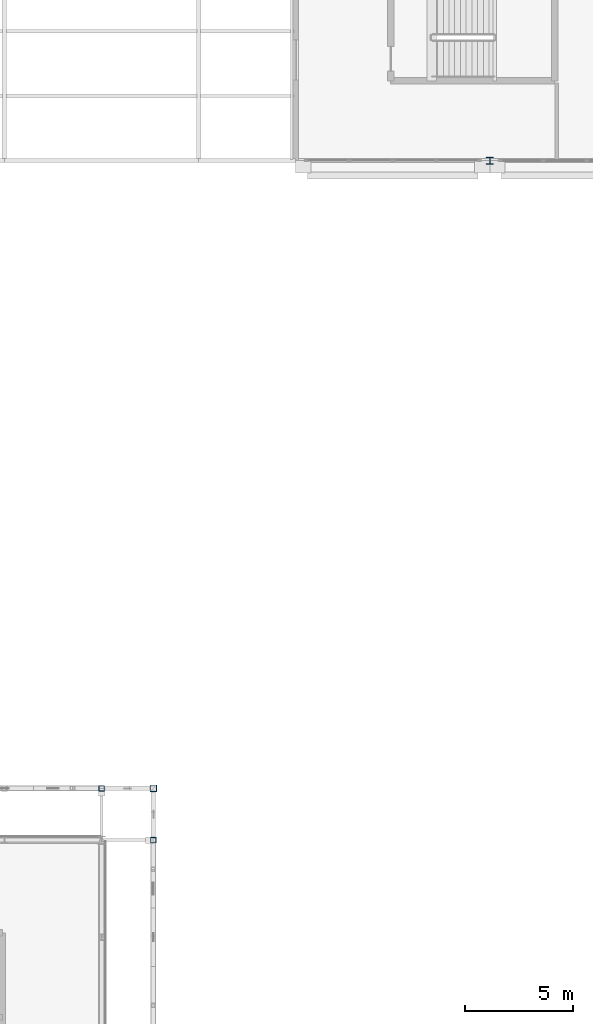
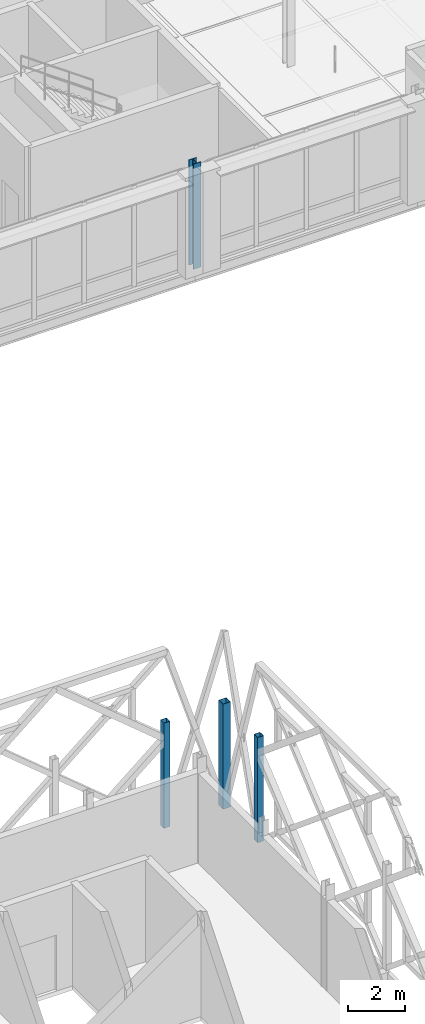
# One storey, part 9 of 66: 4 columns.
"""IFC4 building model written with IfcOpenShell, lengths in metres."""

from ifc_helpers import new_model, si_unit, direction, frame, origin, origin_2d, place, context, subcontext, project, spatial, hollow_rectangle, i_section, extrude, material, material_profile, profile_set, type_object, element, save


model = new_model("IFC4")

# Units and contexts
model_context = context("Model", 3, precision=1e-05, world=origin(), true_north=direction((0.0, 1.0)))
body_context = subcontext(model_context, "Body", "Model", "MODEL_VIEW")
ifc_project = project(units=[si_unit("LENGTHUNIT", "METRE"), si_unit("AREAUNIT", "SQUARE_METRE"), si_unit("VOLUMEUNIT", "CUBIC_METRE"), si_unit("PLANEANGLEUNIT", "RADIAN"), si_unit("MASSUNIT", "GRAM", prefix="KILO"), si_unit("THERMODYNAMICTEMPERATUREUNIT", "KELVIN"), si_unit("POWERUNIT", "WATT")], contexts=[model_context])

# Site, building, storey
site_placement = place(None, origin())
site = spatial("IfcSite", under=ifc_project, at=site_placement, CompositionType="ELEMENT")
building_placement = place(site_placement, origin())
building = spatial("IfcBuilding", under=site, at=building_placement, Name="Tallowbark Science Centre", CompositionType="ELEMENT")
storey_placement = place(building_placement, frame((0.0, 0.0, 18.89990234375)))
storey = spatial("IfcBuildingStorey", under=building, at=storey_placement, Name="L04", CompositionType="ELEMENT", Elevation=18.89990234375)

# Columns
ifc_material_1 = material(Name="White Architectural Painted Steel Grade C350L0 (350 MPa)", Category="steel")
ifc_material_profile_1 = material_profile(ifc_material_1, hollow_rectangle(XDim=0.25, YDim=0.25, WallThickness=0.009033203125, at=origin_2d()), Name="250x250x9.0SHS")
ifc_profile_set_1 = profile_set([ifc_material_profile_1], Name="White Architectural Painted Steel Grade C350L0 (350 MPa)")
column_type_1 = type_object("IfcColumnType", Name="COL-SCR200", PredefinedType="COLUMN", material=ifc_profile_set_1)
for number, where, z_axis, x_axis, name in (
    (1, (103.5, 42.89990234375, 0.0), (0.0, 0.0, 1.0), (1.0, 0.0, 0.0), "Column SCR-N06 L04"),
    (2, (105.89990234375, 40.5, 0.0), (0.0, 0.0, 1.0), (1.0, 0.0, 0.0), "Column SCR-E05 L04"),
):
    element("IfcColumn", number, at=place(storey_placement, frame(where, z_axis=z_axis, x_axis=x_axis)), inside=storey, type_object=column_type_1, Name=name, PredefinedType="COLUMN", context=body_context, shape_type="SweptSolid", body=[
        extrude(hollow_rectangle(XDim=0.25, YDim=0.25, WallThickness=0.009033203125, at=origin_2d()), origin(), (0.0, 0.0, 1.0), 4.5),
    ])
ifc_material_profile_2 = material_profile(ifc_material_1, hollow_rectangle(XDim=0.300048828125, YDim=0.300048828125, WallThickness=0.010009765625, at=origin_2d()), Name="300x300x10.0SHS")
ifc_profile_set_2 = profile_set([ifc_material_profile_2], Name="White Architectural Painted Steel Grade C350L0 (350 MPa)")
column_type_2 = type_object("IfcColumnType", Name="COL-SCR300", PredefinedType="COLUMN", material=ifc_profile_set_2)
column_1_placement = place(storey_placement, frame((105.89990234375, 42.89990234375, 0.0), z_axis=(0.0, 0.0, 1.0), x_axis=(1.0, 0.0, 0.0)))
element("IfcColumn", 3, at=column_1_placement, inside=storey, type_object=column_type_2, Name="Column SCR-N07 L04", PredefinedType="COLUMN", context=body_context, shape_type="SweptSolid", body=[
    extrude(hollow_rectangle(XDim=0.300048828125, YDim=0.300048828125, WallThickness=0.010009765625, at=origin_2d()), origin(), (0.0, 0.0, 1.0), 4.5),
])
ifc_material_2 = material(Name="Structural Steel Grade 300PLUS (300 MPa)", Category="steel")
ifc_material_profile_3 = material_profile(ifc_material_2, i_section(OverallWidth=0.311279296875, OverallDepth=0.3271484375, WebThickness=0.015625, FlangeThickness=0.02490234375, FilletRadius=0.0166015625, at=origin_2d()), Name="310UC158")
ifc_profile_set_3 = profile_set([ifc_material_profile_3], Name="Structural Steel Grade 300PLUS (300 MPa)")
column_type_3 = type_object("IfcColumnType", Name="COL-UC310A", PredefinedType="COLUMN", material=ifc_profile_set_3)
column_2_placement = place(storey_placement, frame((121.5, 72.0, 0.0), z_axis=(0.0, 0.0, 1.0), x_axis=(1.0, 0.0, 0.0)))
element("IfcColumn", 4, at=column_2_placement, inside=storey, type_object=column_type_3, Name="Column OBS-1_0 L04", PredefinedType="COLUMN", context=body_context, shape_type="SweptSolid", body=[
    extrude(i_section(OverallWidth=0.311279296875, OverallDepth=0.3271484375, WebThickness=0.015625, FlangeThickness=0.02490234375, FilletRadius=0.0166015625, at=origin_2d()), origin(), (0.0, 0.0, 1.0), 4.5),
])

save(model, "model.ifc")
